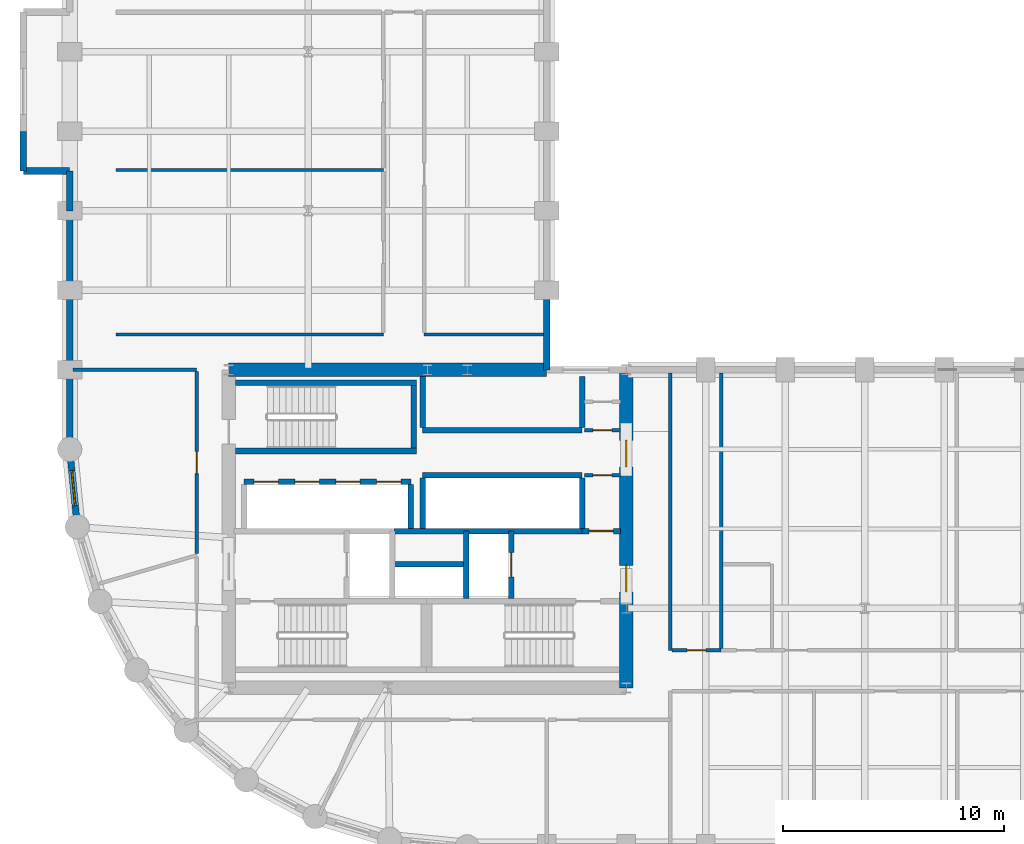
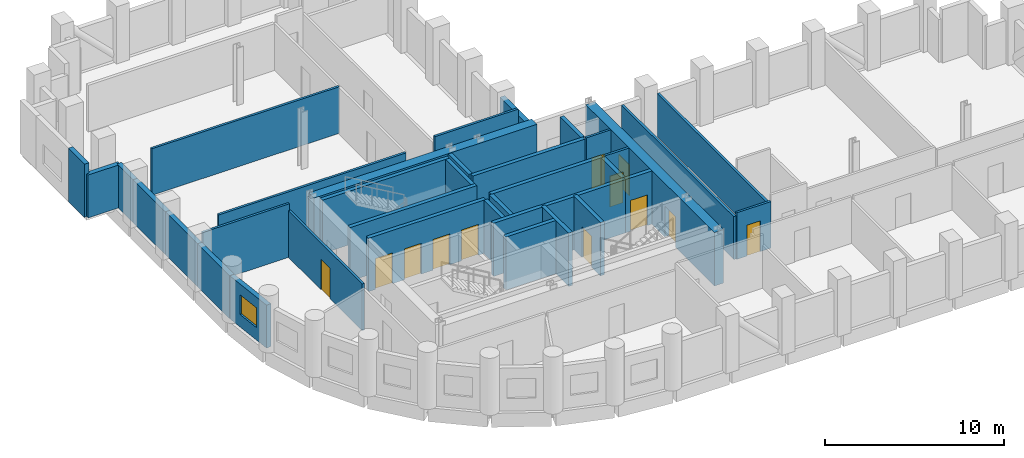
# One storey, part 4 of 7: 36 walls, 12 doors, 1 window, 13 openings.
"""IFC4 building model written with IfcOpenShell, lengths in metres."""

from ifc_helpers import new_model, si_unit, direction, frame, frame_2d, origin, place, context, subcontext, project, spatial, rectangle, extrude, material, layer, layer_set, type_object, element, fill, save


model = new_model("IFC4")

# Units and contexts
model_context = context("Model", 3, precision=1e-05, world=origin(), true_north=direction((0.0, 1.0)))
body_context = subcontext(model_context, "Body", "Model", "MODEL_VIEW")
ifc_project = project(units=[si_unit("LENGTHUNIT", "METRE"), si_unit("AREAUNIT", "SQUARE_METRE"), si_unit("VOLUMEUNIT", "CUBIC_METRE"), si_unit("PLANEANGLEUNIT", "RADIAN"), si_unit("MASSUNIT", "GRAM", prefix="KILO")], contexts=[model_context])

# Site, building, storey
site_placement = place(None, origin())
site = spatial("IfcSite", under=ifc_project, at=site_placement, CompositionType="ELEMENT")
building_placement = place(site_placement, origin())
building = spatial("IfcBuilding", under=site, at=building_placement, Name="Solnavia Interchange Tower", CompositionType="ELEMENT")
storey_placement = place(building_placement, frame((0.0, 0.0, 91.800048828125)))
storey = spatial("IfcBuildingStorey", under=building, at=storey_placement, Name="L22", CompositionType="ELEMENT", Elevation=91.800048828125)

# Walls
ifc_material_1 = material(Name="Concrete C40/50", Category="concrete")
ifc_layer_1 = layer(ifc_material_1, 0.300048828125)
ifc_layer_set_1 = layer_set([ifc_layer_1], Name="Concrete C40/50")
wall_type_1 = type_object("IfcWallType", Name="Wall-ExtSpandrel-300", PredefinedType="STANDARD", material=ifc_layer_set_1)
wall_1_placement = place(storey_placement, frame((28.800048828125, 28.800048828125, 0.0), z_axis=(0.0, 0.0, 1.0), x_axis=(0.0, -1.0, 0.0)))
element("IfcWall", 1, at=wall_1_placement, inside=storey, type_object=wall_type_1, Name="EXW-L22-28 Exterior precast spandrel wall", PredefinedType="STANDARD", context=body_context, shape_type="SweptSolid", body=[
    extrude(rectangle(XDim=3.60009765625, YDim=0.300048828125, at=frame_2d((1.800048828125, 0.0))), origin(), (0.0, 0.0, 1.0), 3.18994140625),
])
wall_2_placement = place(storey_placement, frame((5.10009765625, 34.199951171875, 0.0), z_axis=(0.0, 0.0, 1.0), x_axis=(0.0, 1.0, 0.0)))
element("IfcWall", 2, at=wall_2_placement, inside=storey, type_object=wall_type_1, Name="EXW-L22-49 Exterior precast spandrel wall", PredefinedType="STANDARD", context=body_context, shape_type="SweptSolid", body=[
    extrude(rectangle(XDim=1.800048828125, YDim=0.300048828125, at=frame_2d((0.89990234375, 0.0))), origin(), (0.0, 0.0, 1.0), 3.635009765625),
])
wall_3_placement = place(storey_placement, frame((5.10009765625, 34.199951171875, 0.0), z_axis=(0.0, 0.0, 1.0), x_axis=(1.0, 0.0, 0.0)))
element("IfcWall", 3, at=wall_3_placement, inside=storey, type_object=wall_type_1, Name="EXW-L22-50 Exterior precast spandrel wall", PredefinedType="STANDARD", context=body_context, shape_type="SweptSolid", body=[
    extrude(rectangle(XDim=2.099853515625, YDim=0.300048828125, at=frame_2d((1.0498046875, 0.0))), origin(), (0.0, 0.0, 1.0), 2.929931640625),
])
wall_4_placement = place(storey_placement, frame((7.199951171875, 32.39990234375, 0.0), z_axis=(0.0, 0.0, 1.0), x_axis=(0.0, 1.0, 0.0)))
element("IfcWall", 4, at=wall_4_placement, inside=storey, type_object=wall_type_1, Name="EXW-L22-51 Exterior precast spandrel wall", PredefinedType="STANDARD", context=body_context, shape_type="SweptSolid", body=[
    extrude(rectangle(XDim=1.800048828125, YDim=0.300048828125, at=frame_2d((0.89990234375, 0.0))), origin(), (0.0, 0.0, 1.0), 2.929931640625),
])
wall_5_placement = place(storey_placement, frame((7.199951171875, 28.800048828125, 0.0), z_axis=(0.0, 0.0, 1.0), x_axis=(0.0, 1.0, 0.0)))
element("IfcWall", 5, at=wall_5_placement, inside=storey, type_object=wall_type_1, Name="EXW-L22-52 Exterior precast spandrel wall", PredefinedType="STANDARD", context=body_context, shape_type="SweptSolid", body=[
    extrude(rectangle(XDim=3.599853515625, YDim=0.300048828125, at=frame_2d((1.7998046875, 0.0))), origin(), (0.0, 0.0, 1.0), 2.929931640625),
])
wall_6_placement = place(storey_placement, frame((7.199951171875, 25.199951171875, 0.0), z_axis=(0.0, 0.0, 1.0), x_axis=(0.0, 1.0, 0.0)))
element("IfcWall", 6, at=wall_6_placement, inside=storey, type_object=wall_type_1, Name="EXW-L22-53 Exterior precast spandrel wall", PredefinedType="STANDARD", context=body_context, shape_type="SweptSolid", body=[
    extrude(rectangle(XDim=3.60009765625, YDim=0.300048828125, at=frame_2d((1.800048828125, 0.0))), origin(), (0.0, 0.0, 1.0), 2.929931640625),
])
wall_7_placement = place(storey_placement, frame((7.199951171875, 21.60009765625, 0.0), z_axis=(0.0, 0.0, 1.0), x_axis=(0.0, 1.0, 0.0)))
element("IfcWall", 7, at=wall_7_placement, inside=storey, type_object=wall_type_1, Name="EXW-L22-54 Exterior precast spandrel wall", PredefinedType="STANDARD", context=body_context, shape_type="SweptSolid", body=[
    extrude(rectangle(XDim=3.599853515625, YDim=0.300048828125, at=frame_2d((1.7998046875, 0.0))), origin(), (0.0, 0.0, 1.0), 2.929931640625),
])

# Wall, opening, window
wall_8_placement = place(storey_placement, frame((7.5458984375, 18.087890625, 0.0), z_axis=(0.0, 0.0, 1.0), x_axis=(-0.09802417461, 0.995184033831, 0.0)))
wall_8 = element("IfcWall", 8, at=wall_8_placement, inside=storey, type_object=wall_type_1, Name="EXW-L22-55 Exterior precast spandrel wall", PredefinedType="STANDARD", context=body_context, shape_type="SweptSolid", body=[
    extrude(rectangle(XDim=3.529296875, YDim=0.300048828125, at=frame_2d((1.7646484375, 0.0))), origin(), (0.0, 0.0, 1.0), 2.929931640625),
])
opening_1_placement = place(wall_8_placement, frame((0.965087890625, 0.0, 0.85009765625)))
opening_1 = element("IfcOpeningElement", 9, at=opening_1_placement, cuts=wall_8, Name="Opening WIN-04", PredefinedType="OPENING", context=body_context, shape_type="SweptSolid", body=[
    extrude(rectangle(XDim=1.60009765625, YDim=1.35009765625, at=frame_2d((0.800048828125, 0.675048828125))), frame((0.0, 0.16015625, 0.0), z_axis=(0.0, -1.0, 0.0), x_axis=(1.0, 0.0, 0.0)), (0.0, 0.0, 1.0), 0.320068359375),
])
ifc_material_2 = material(Name="Thermal-Break Aluminium & Low-E Glass", Category="aluminium")
window_type = type_object("IfcWindowType", Name="Window-Drum-1600x1350", PartitioningType="SINGLE_PANEL", PredefinedType="WINDOW", material=ifc_material_2)
window_placement = place(opening_1_placement, origin())
window = element("IfcWindow", 10, at=window_placement, inside=storey, type_object=window_type, Name="WIN-L22-55 Facade ribbon window", OverallHeight=1.35009765625, OverallWidth=1.60009765625, PartitioningType="SINGLE_PANEL", PredefinedType="WINDOW", context=body_context, shape_type="SweptSolid", body=[
    extrude(rectangle(XDim=1.60009765625, YDim=1.35009765625, at=frame_2d((0.800048828125, 0.675048828125))), frame((0.0, 0.030029296875, 0.0), z_axis=(0.0, -1.0, 0.0), x_axis=(1.0, 0.0, 0.0)), (0.0, 0.0, 1.0), 0.06005859375),
])
fill(opening_1, window)

# Wall, opening, door
ifc_material_3 = material(Name="Gypsum Plasterboard & Steel Stud", Category="steel")
ifc_layer_2 = layer(ifc_material_3, 0.14990234375)
ifc_layer_set_2 = layer_set([ifc_layer_2], Name="Gypsum Plasterboard & Steel Stud")
wall_type_2 = type_object("IfcWallType", Name="Wall-Partition-150", PredefinedType="PARTITIONING", material=ifc_layer_set_2)
wall_9_placement = place(storey_placement, frame((30.52001953125, 22.4599609375, 0.0), z_axis=(0.0, 0.0, 1.0), x_axis=(1.0, 0.0, 0.0)))
wall_9 = element("IfcWall", 11, at=wall_9_placement, inside=storey, type_object=wall_type_2, Name="CSW-L22-NE-S Core shaft wall", PredefinedType="PARTITIONING", context=body_context, shape_type="SweptSolid", body=[
    extrude(rectangle(XDim=1.6298828125, YDim=0.14990234375, at=frame_2d((0.81494140625, 0.0))), origin(), (0.0, 0.0, 1.0), 3.635009765625),
])
opening_2_placement = place(wall_9_placement, frame((0.3798828125, 0.0, 0.0)))
opening_2 = element("IfcOpeningElement", 12, at=opening_2_placement, cuts=wall_9, Name="Opening DR-10", PredefinedType="OPENING", context=body_context, shape_type="SweptSolid", body=[
    extrude(rectangle(XDim=0.85009765625, YDim=2.10009765625, at=frame_2d((0.425048828125, 1.050048828125))), frame((0.0, 0.0849609375, 0.0), z_axis=(0.0, -1.0, 0.0), x_axis=(1.0, 0.0, 0.0)), (0.0, 0.0, 1.0), 0.169921875),
])
ifc_material_4 = material(Name="Moisture-Resistant Timber Door", Category="wood")
door_type_1 = type_object("IfcDoorType", Name="Door-Bathroom-850x2100", OperationType="SINGLE_SWING_RIGHT", PredefinedType="DOOR", material=ifc_material_4)
door_1_placement = place(opening_2_placement, origin())
door_1 = element("IfcDoor", 13, at=door_1_placement, inside=storey, type_object=door_type_1, Name="DR-L22-CNE1 Core fire door", OperationType="SINGLE_SWING_RIGHT", OverallHeight=2.10009765625, OverallWidth=0.85009765625, PredefinedType="DOOR", context=body_context, shape_type="SweptSolid", body=[
    extrude(rectangle(XDim=0.85009765625, YDim=2.10009765625, at=frame_2d((0.425048828125, 1.050048828125))), frame((0.0, 0.02490234375, 0.0), z_axis=(0.0, -1.0, 0.0), x_axis=(1.0, 0.0, 0.0)), (0.0, 0.0, 1.0), 0.050048828125),
])
fill(opening_2, door_1)

wall_10_placement = place(storey_placement, frame((30.52001953125, 20.419921875, 0.0), z_axis=(0.0, 0.0, 1.0), x_axis=(1.0, 0.0, 0.0)))
wall_10 = element("IfcWall", 14, at=wall_10_placement, inside=storey, type_object=wall_type_2, Name="CSW-L22-SE-N Core shaft wall", PredefinedType="PARTITIONING", context=body_context, shape_type="SweptSolid", body=[
    extrude(rectangle(XDim=1.6298828125, YDim=0.14990234375, at=frame_2d((0.81494140625, 0.0))), origin(), (0.0, 0.0, 1.0), 3.635009765625),
])
opening_3_placement = place(wall_10_placement, frame((0.3798828125, 0.0, 0.0)))
opening_3 = element("IfcOpeningElement", 15, at=opening_3_placement, cuts=wall_10, Name="Opening DR-10", PredefinedType="OPENING", context=body_context, shape_type="SweptSolid", body=[
    extrude(rectangle(XDim=0.85009765625, YDim=2.10009765625, at=frame_2d((0.425048828125, 1.050048828125))), frame((0.0, 0.0849609375, 0.0), z_axis=(0.0, -1.0, 0.0), x_axis=(1.0, 0.0, 0.0)), (0.0, 0.0, 1.0), 0.169921875),
])
door_2_placement = place(opening_3_placement, origin())
door_2 = element("IfcDoor", 16, at=door_2_placement, inside=storey, type_object=door_type_1, Name="DR-L22-CSE1 Core fire door", OperationType="SINGLE_SWING_LEFT", OverallHeight=2.10009765625, OverallWidth=0.85009765625, PredefinedType="DOOR", context=body_context, shape_type="SweptSolid", body=[
    extrude(rectangle(XDim=0.85009765625, YDim=2.10009765625, at=frame_2d((0.425048828125, 1.050048828125))), frame((0.0, 0.02490234375, 0.0), z_axis=(0.0, -1.0, 0.0), x_axis=(1.0, 0.0, 0.0)), (0.0, 0.0, 1.0), 0.050048828125),
])
fill(opening_3, door_2)

# Wall
wall_11_placement = place(storey_placement, frame((7.35400390625, 25.199951171875, 0.0), z_axis=(0.0, 0.0, 1.0), x_axis=(1.0, 0.0, 0.0)))
element("IfcWall", 17, at=wall_11_placement, inside=storey, type_object=wall_type_2, Name="PTW-L22-07 Interior partition wall", PredefinedType="PARTITIONING", context=body_context, shape_type="SweptSolid", body=[
    extrude(rectangle(XDim=5.595947265625, YDim=0.14990234375, at=frame_2d((2.7978515625, 0.0))), origin(), (0.0, 0.0, 1.0), 3.635009765625),
])

# Wall, opening, door
wall_12_placement = place(storey_placement, frame((12.949951171875, 16.87890625, 0.0), z_axis=(0.0, 0.0, 1.0), x_axis=(0.0, 1.0, 0.0)))
wall_12 = element("IfcWall", 18, at=wall_12_placement, inside=storey, type_object=wall_type_2, Name="PTW-L22-12 Interior partition wall", PredefinedType="PARTITIONING", context=body_context, shape_type="SweptSolid", body=[
    extrude(rectangle(XDim=8.2421875, YDim=0.14990234375, at=frame_2d((4.12109375, 0.0))), origin(), (0.0, 0.0, 1.0), 3.18994140625),
])
opening_4_placement = place(wall_12_placement, frame((3.62109375, 0.0, 0.0)))
opening_4 = element("IfcOpeningElement", 19, at=opening_4_placement, cuts=wall_12, Name="Opening DR-07", PredefinedType="OPENING", context=body_context, shape_type="SweptSolid", body=[
    extrude(rectangle(XDim=1.0, YDim=2.10009765625, at=frame_2d((0.5, 1.050048828125))), frame((0.0, 0.0849609375, 0.0), z_axis=(0.0, -1.0, 0.0), x_axis=(1.0, 0.0, 0.0)), (0.0, 0.0, 1.0), 0.169921875),
])
ifc_material_5 = material(Name="Timber & Acoustic Glazed Office Door", Category="wood")
door_type_2 = type_object("IfcDoorType", Name="Door-Office-1000x2100", OperationType="SINGLE_SWING_RIGHT", PredefinedType="DOOR", material=ifc_material_5)
door_3_placement = place(opening_4_placement, origin())
door_3 = element("IfcDoor", 20, at=door_3_placement, inside=storey, type_object=door_type_2, Name="DR-L22-03 Interior room door", OperationType="SINGLE_SWING_LEFT", OverallHeight=2.10009765625, OverallWidth=1.0, PredefinedType="DOOR", context=body_context, shape_type="SweptSolid", body=[
    extrude(rectangle(XDim=1.0, YDim=2.10009765625, at=frame_2d((0.5, 1.050048828125))), frame((0.0, 0.02490234375, 0.0), z_axis=(0.0, -1.0, 0.0), x_axis=(1.0, 0.0, 0.0)), (0.0, 0.0, 1.0), 0.050048828125),
])
fill(opening_4, door_3)

# Walls
for number, where, z_axis, x_axis, name in (
    (21, (9.300048828125, 26.800048828125, 0.0), (0.0, 0.0, 1.0), (1.0, 0.0, 0.0), "PTW-L22-28 Interior partition wall"),
    (22, (9.300048828125, 34.25, 0.0), (0.0, 0.0, 1.0), (1.0, 0.0, 0.0), "PTW-L22-29 Interior partition wall"),
):
    element("IfcWall", number, at=place(storey_placement, frame(where, z_axis=z_axis, x_axis=x_axis)), inside=storey, type_object=wall_type_2, Name=name, PredefinedType="PARTITIONING", context=body_context, shape_type="SweptSolid", body=[
        extrude(rectangle(XDim=12.099853515625, YDim=0.14990234375, at=frame_2d((6.0498046875, 0.0))), origin(), (0.0, 0.0, 1.0), 3.179931640625),
    ])
wall_13_placement = place(storey_placement, frame((23.25, 26.800048828125, 0.0), z_axis=(0.0, 0.0, 1.0), x_axis=(1.0, 0.0, 0.0)))
element("IfcWall", 23, at=wall_13_placement, inside=storey, type_object=wall_type_2, Name="PTW-L22-32 Interior partition wall", PredefinedType="PARTITIONING", context=body_context, shape_type="SweptSolid", body=[
    extrude(rectangle(XDim=5.39599609375, YDim=0.14990234375, at=frame_2d((2.697998046875, 0.0))), origin(), (0.0, 0.0, 1.0), 3.635009765625),
])
ifc_layer_3 = layer(ifc_material_1, 0.25)
ifc_layer_set_3 = layer_set([ifc_layer_3], Name="Concrete C40/50")
wall_type_3 = type_object("IfcWallType", Name="Wall-ShaftCore-250", PredefinedType="SHEAR", material=ifc_layer_set_3)
for number, where, z_axis, x_axis, name in (
    (24, (14.699951171875, 21.52490234375, 0.0), (0.0, 0.0, 1.0), (1.0, 0.0, 0.0), "SHW-L22-ST3S Core shear wall"),
    (25, (14.699951171875, 24.614990234375, 0.0), (0.0, 0.0, 1.0), (1.0, 0.0, 0.0), "SHW-L22-ST3N Core shear wall"),
):
    element("IfcWall", number, at=place(storey_placement, frame(where, z_axis=z_axis, x_axis=x_axis)), inside=storey, type_object=wall_type_3, Name=name, PredefinedType="SHEAR", context=body_context, shape_type="SweptSolid", body=[
        extrude(rectangle(XDim=8.199951171875, YDim=0.25, at=frame_2d((4.10009765625, 0.0))), origin(), (0.0, 0.0, 1.0), 3.64990234375),
    ])
wall_14_placement = place(storey_placement, frame((22.77490234375, 21.64990234375, 0.0), z_axis=(0.0, 0.0, 1.0), x_axis=(0.0, 1.0, 0.0)))
element("IfcWall", 26, at=wall_14_placement, inside=storey, type_object=wall_type_3, Name="SHW-L22-ST3E Core shear wall", PredefinedType="SHEAR", context=body_context, shape_type="SweptSolid", body=[
    extrude(rectangle(XDim=2.840087890625, YDim=0.25, at=frame_2d((1.419921875, 0.0))), origin(), (0.0, 0.0, 1.0), 3.64990234375),
])
ifc_layer_4 = layer(ifc_material_1, 0.25)
ifc_layer_set_4 = layer_set([ifc_layer_4], Name="Concrete C40/50")
wall_type_4 = type_object("IfcWallType", Name="Wall-ShaftPart-250", PredefinedType="PARTITIONING", material=ifc_layer_set_4)
wall_15_placement = place(storey_placement, frame((21.8798828125, 17.89990234375, 0.0), z_axis=(0.0, 0.0, 1.0), x_axis=(1.0, 0.0, 0.0)))
element("IfcWall", 27, at=wall_15_placement, inside=storey, type_object=wall_type_4, Name="SHW-L22-FFLE-N1 Core shaft wall", PredefinedType="PARTITIONING", context=body_context, shape_type="SweptSolid", body=[
    extrude(rectangle(XDim=8.52001953125, YDim=0.25, at=frame_2d((4.260009765625, 0.0))), origin(), (0.0, 0.0, 1.0), 3.635009765625),
])

# Wall, opening, door
wall_16_placement = place(storey_placement, frame((30.39990234375, 17.89990234375, 0.0), z_axis=(0.0, 0.0, 1.0), x_axis=(1.0, 0.0, 0.0)))
wall_16 = element("IfcWall", 28, at=wall_16_placement, inside=storey, type_object=wall_type_4, Name="SHW-L22-FFLE-N2 Core shaft wall", PredefinedType="PARTITIONING", context=body_context, shape_type="SweptSolid", body=[
    extrude(rectangle(XDim=1.75, YDim=0.25, at=frame_2d((0.875, 0.0))), origin(), (0.0, 0.0, 1.0), 3.635009765625),
])
opening_5_placement = place(wall_16_placement, frame((0.320068359375, 0.0, 0.0)))
opening_5 = element("IfcOpeningElement", 29, at=opening_5_placement, cuts=wall_16, Name="Opening DR-01", PredefinedType="OPENING", context=body_context, shape_type="SweptSolid", body=[
    extrude(rectangle(XDim=1.10009765625, YDim=2.10009765625, at=frame_2d((0.550048828125, 1.050048828125))), frame((0.0, 0.135009765625, 0.0), z_axis=(0.0, -1.0, 0.0), x_axis=(1.0, 0.0, 0.0)), (0.0, 0.0, 1.0), 0.27001953125),
])
ifc_material_6 = material(Name="Steel Fire-Rated Leaf & Frame", Category="steel")
door_type_3 = type_object("IfcDoorType", Name="Door-StairFire-1100x2100", OperationType="SINGLE_SWING_LEFT", PredefinedType="DOOR", material=ifc_material_6)
door_4_placement = place(opening_5_placement, origin())
door_4 = element("IfcDoor", 30, at=door_4_placement, inside=storey, type_object=door_type_3, Name="DR-L22-LLC Core fire door", OperationType="SINGLE_SWING_LEFT", OverallHeight=2.10009765625, OverallWidth=1.10009765625, PredefinedType="DOOR", context=body_context, shape_type="SweptSolid", body=[
    extrude(rectangle(XDim=1.10009765625, YDim=2.10009765625, at=frame_2d((0.550048828125, 1.050048828125))), frame((0.0, 0.02490234375, 0.0), z_axis=(0.0, -1.0, 0.0), x_axis=(1.0, 0.0, 0.0)), (0.0, 0.0, 1.0), 0.050048828125),
])
fill(opening_5, door_4)

# Wall
wall_17_placement = place(storey_placement, frame((25.14990234375, 14.840087890625, 0.0), z_axis=(0.0, 0.0, 1.0), x_axis=(0.0, 1.0, 0.0)))
element("IfcWall", 31, at=wall_17_placement, inside=storey, type_object=wall_type_4, Name="SHW-L22-FFL2-W Core shaft wall", PredefinedType="PARTITIONING", context=body_context, shape_type="SweptSolid", body=[
    extrude(rectangle(XDim=3.059814453125, YDim=0.25, at=frame_2d((1.52978515625, 0.0))), origin(), (0.0, 0.0, 1.0), 3.635009765625),
])

# Wall, opening, door
wall_18_placement = place(storey_placement, frame((27.199951171875, 14.840087890625, 0.0), z_axis=(0.0, 0.0, 1.0), x_axis=(0.0, 1.0, 0.0)))
wall_18 = element("IfcWall", 32, at=wall_18_placement, inside=storey, type_object=wall_type_4, Name="SHW-L22-FFL2-E Core shaft wall", PredefinedType="PARTITIONING", context=body_context, shape_type="SweptSolid", body=[
    extrude(rectangle(XDim=3.059814453125, YDim=0.25, at=frame_2d((1.52978515625, 0.0))), origin(), (0.0, 0.0, 1.0), 3.635009765625),
])
opening_6_placement = place(wall_18_placement, frame((0.97998046875, 0.0, 0.0)))
opening_6 = element("IfcOpeningElement", 33, at=opening_6_placement, cuts=wall_18, Name="Opening LD-01", PredefinedType="OPENING", context=body_context, shape_type="SweptSolid", body=[
    extrude(rectangle(XDim=1.10009765625, YDim=2.10009765625, at=frame_2d((0.550048828125, 1.050048828125))), frame((0.0, 0.135009765625, 0.0), z_axis=(0.0, -1.0, 0.0), x_axis=(1.0, 0.0, 0.0)), (0.0, 0.0, 1.0), 0.27001953125),
])
ifc_material_7 = material(Name="Brushed Stainless Steel Sliding Door", Category="steel")
door_type_4 = type_object("IfcDoorType", Name="Door-LiftLanding-1100x2100", OperationType="SLIDING_TO_LEFT", PredefinedType="DOOR", material=ifc_material_7)
door_5_placement = place(opening_6_placement, origin())
door_5 = element("IfcDoor", 34, at=door_5_placement, inside=storey, type_object=door_type_4, Name="LD-L22-FFL2 Lift landing sliding door", OperationType="SLIDING_TO_LEFT", OverallHeight=2.10009765625, OverallWidth=1.10009765625, PredefinedType="DOOR", context=body_context, shape_type="SweptSolid", body=[
    extrude(rectangle(XDim=1.10009765625, YDim=2.10009765625, at=frame_2d((0.550048828125, 1.050048828125))), frame((0.0, 0.02490234375, 0.0), z_axis=(0.0, -1.0, 0.0), x_axis=(1.0, 0.0, 0.0)), (0.0, 0.0, 1.0), 0.050048828125),
])
fill(opening_6, door_5)

# Wall
wall_19_placement = place(storey_placement, frame((21.800048828125, 16.39990234375, 0.0), z_axis=(0.0, 0.0, 1.0), x_axis=(1.0, 0.0, 0.0)))
element("IfcWall", 35, at=wall_19_placement, inside=storey, type_object=wall_type_4, Name="SHW-L22-MEP-N Core shaft wall", PredefinedType="PARTITIONING", context=body_context, shape_type="SweptSolid", body=[
    extrude(rectangle(XDim=3.349853515625, YDim=0.25, at=frame_2d((1.6748046875, 0.0))), origin(), (0.0, 0.0, 1.0), 3.635009765625),
])

# Wall, openings, doors
wall_20_placement = place(storey_placement, frame((15.10009765625, 20.125, 0.0), z_axis=(0.0, 0.0, 1.0), x_axis=(1.0, 0.0, 0.0)))
wall_20 = element("IfcWall", 36, at=wall_20_placement, inside=storey, type_object=wall_type_4, Name="SHW-L22-B1N Core shaft wall", PredefinedType="PARTITIONING", context=body_context, shape_type="SweptSolid", body=[
    extrude(rectangle(XDim=7.5498046875, YDim=0.25, at=frame_2d((3.77490234375, 0.0))), origin(), (0.0, 0.0, 1.0), 3.635009765625),
])
opening_7_placement = place(wall_20_placement, frame((0.449951171875, 0.0, 0.0)))
opening_7 = element("IfcOpeningElement", 37, at=opening_7_placement, cuts=wall_20, Name="Opening LD-01", PredefinedType="OPENING", context=body_context, shape_type="SweptSolid", body=[
    extrude(rectangle(XDim=1.10009765625, YDim=2.10009765625, at=frame_2d((0.550048828125, 1.050048828125))), frame((0.0, 0.135009765625, 0.0), z_axis=(0.0, -1.0, 0.0), x_axis=(1.0, 0.0, 0.0)), (0.0, 0.0, 1.0), 0.27001953125),
])
opening_8_placement = place(wall_20_placement, frame((2.300048828125, 0.0, 0.0)))
opening_8 = element("IfcOpeningElement", 38, at=opening_8_placement, cuts=wall_20, Name="Opening LD-01", PredefinedType="OPENING", context=body_context, shape_type="SweptSolid", body=[
    extrude(rectangle(XDim=1.10009765625, YDim=2.10009765625, at=frame_2d((0.550048828125, 1.050048828125))), frame((0.0, 0.135009765625, 0.0), z_axis=(0.0, -1.0, 0.0), x_axis=(1.0, 0.0, 0.0)), (0.0, 0.0, 1.0), 0.27001953125),
])
opening_9_placement = place(wall_20_placement, frame((4.14990234375, 0.0, 0.0)))
opening_9 = element("IfcOpeningElement", 39, at=opening_9_placement, cuts=wall_20, Name="Opening LD-01", PredefinedType="OPENING", context=body_context, shape_type="SweptSolid", body=[
    extrude(rectangle(XDim=1.10009765625, YDim=2.10009765625, at=frame_2d((0.550048828125, 1.050048828125))), frame((0.0, 0.135009765625, 0.0), z_axis=(0.0, -1.0, 0.0), x_axis=(1.0, 0.0, 0.0)), (0.0, 0.0, 1.0), 0.27001953125),
])
opening_10_placement = place(wall_20_placement, frame((6.0, 0.0, 0.0)))
opening_10 = element("IfcOpeningElement", 40, at=opening_10_placement, cuts=wall_20, Name="Opening LD-01", PredefinedType="OPENING", context=body_context, shape_type="SweptSolid", body=[
    extrude(rectangle(XDim=1.10009765625, YDim=2.10009765625, at=frame_2d((0.550048828125, 1.050048828125))), frame((0.0, 0.135009765625, 0.0), z_axis=(0.0, -1.0, 0.0), x_axis=(1.0, 0.0, 0.0)), (0.0, 0.0, 1.0), 0.27001953125),
])
door_6_placement = place(opening_7_placement, origin())
door_6 = element("IfcDoor", 41, at=door_6_placement, inside=storey, type_object=door_type_4, Name="LD-L22-B1-1 Lift landing sliding door", OperationType="SLIDING_TO_LEFT", OverallHeight=2.10009765625, OverallWidth=1.10009765625, PredefinedType="DOOR", context=body_context, shape_type="SweptSolid", body=[
    extrude(rectangle(XDim=1.10009765625, YDim=2.10009765625, at=frame_2d((0.550048828125, 1.050048828125))), frame((0.0, 0.02490234375, 0.0), z_axis=(0.0, -1.0, 0.0), x_axis=(1.0, 0.0, 0.0)), (0.0, 0.0, 1.0), 0.050048828125),
])
fill(opening_7, door_6)
door_7_placement = place(opening_8_placement, origin())
door_7 = element("IfcDoor", 42, at=door_7_placement, inside=storey, type_object=door_type_4, Name="LD-L22-B1-2 Lift landing sliding door", OperationType="SLIDING_TO_LEFT", OverallHeight=2.10009765625, OverallWidth=1.10009765625, PredefinedType="DOOR", context=body_context, shape_type="SweptSolid", body=[
    extrude(rectangle(XDim=1.10009765625, YDim=2.10009765625, at=frame_2d((0.550048828125, 1.050048828125))), frame((0.0, 0.02490234375, 0.0), z_axis=(0.0, -1.0, 0.0), x_axis=(1.0, 0.0, 0.0)), (0.0, 0.0, 1.0), 0.050048828125),
])
fill(opening_8, door_7)
door_8_placement = place(opening_9_placement, origin())
door_8 = element("IfcDoor", 43, at=door_8_placement, inside=storey, type_object=door_type_4, Name="LD-L22-B1-3 Lift landing sliding door", OperationType="SLIDING_TO_LEFT", OverallHeight=2.10009765625, OverallWidth=1.10009765625, PredefinedType="DOOR", context=body_context, shape_type="SweptSolid", body=[
    extrude(rectangle(XDim=1.10009765625, YDim=2.10009765625, at=frame_2d((0.550048828125, 1.050048828125))), frame((0.0, 0.02490234375, 0.0), z_axis=(0.0, -1.0, 0.0), x_axis=(1.0, 0.0, 0.0)), (0.0, 0.0, 1.0), 0.050048828125),
])
fill(opening_9, door_8)
door_9_placement = place(opening_10_placement, origin())
door_9 = element("IfcDoor", 44, at=door_9_placement, inside=storey, type_object=door_type_4, Name="LD-L22-B1-4 Lift landing sliding door", OperationType="SLIDING_TO_LEFT", OverallHeight=2.10009765625, OverallWidth=1.10009765625, PredefinedType="DOOR", context=body_context, shape_type="SweptSolid", body=[
    extrude(rectangle(XDim=1.10009765625, YDim=2.10009765625, at=frame_2d((0.550048828125, 1.050048828125))), frame((0.0, 0.02490234375, 0.0), z_axis=(0.0, -1.0, 0.0), x_axis=(1.0, 0.0, 0.0)), (0.0, 0.0, 1.0), 0.050048828125),
])
fill(opening_10, door_9)

# Walls
wall_21_placement = place(storey_placement, frame((22.64990234375, 18.02490234375, 0.0), z_axis=(0.0, 0.0, 1.0), x_axis=(0.0, 1.0, 0.0)))
element("IfcWall", 45, at=wall_21_placement, inside=storey, type_object=wall_type_4, Name="SHW-L22-B1E Core shaft wall", PredefinedType="PARTITIONING", context=body_context, shape_type="SweptSolid", body=[
    extrude(rectangle(XDim=1.97509765625, YDim=0.25, at=frame_2d((0.987548828125, 0.0))), origin(), (0.0, 0.0, 1.0), 3.635009765625),
])
wall_22_placement = place(storey_placement, frame((23.179931640625, 20.419921875, 0.0), z_axis=(0.0, 0.0, 1.0), x_axis=(1.0, 0.0, 0.0)))
element("IfcWall", 46, at=wall_22_placement, inside=storey, type_object=wall_type_4, Name="SHW-L22-B2N Core shaft wall", PredefinedType="PARTITIONING", context=body_context, shape_type="SweptSolid", body=[
    extrude(rectangle(XDim=7.219970703125, YDim=0.25, at=frame_2d((3.60986328125, 0.0))), origin(), (0.0, 0.0, 1.0), 3.635009765625),
])
for number, where, z_axis, x_axis, name in (
    (47, (23.179931640625, 18.02490234375, 0.0), (0.0, 0.0, 1.0), (0.0, 1.0, 0.0), "SHW-L22-B2W Core shaft wall"),
    (48, (30.39990234375, 18.02490234375, 0.0), (0.0, 0.0, 1.0), (0.0, 1.0, 0.0), "SHW-L22-B2E Core shaft wall"),
):
    element("IfcWall", number, at=place(storey_placement, frame(where, z_axis=z_axis, x_axis=x_axis)), inside=storey, type_object=wall_type_4, Name=name, PredefinedType="PARTITIONING", context=body_context, shape_type="SweptSolid", body=[
        extrude(rectangle(XDim=2.27001953125, YDim=0.25, at=frame_2d((1.135009765625, 0.0))), origin(), (0.0, 0.0, 1.0), 3.635009765625),
    ])
wall_23_placement = place(storey_placement, frame((23.179931640625, 22.4599609375, 0.0), z_axis=(0.0, 0.0, 1.0), x_axis=(1.0, 0.0, 0.0)))
element("IfcWall", 49, at=wall_23_placement, inside=storey, type_object=wall_type_4, Name="SHW-L22-B3S Core shaft wall", PredefinedType="PARTITIONING", context=body_context, shape_type="SweptSolid", body=[
    extrude(rectangle(XDim=7.219970703125, YDim=0.25, at=frame_2d((3.60986328125, 0.0))), origin(), (0.0, 0.0, 1.0), 3.635009765625),
])
for number, where, z_axis, x_axis, name in (
    (50, (23.179931640625, 22.5849609375, 0.0), (0.0, 0.0, 1.0), (0.0, 1.0, 0.0), "SHW-L22-B3W Core shaft wall"),
    (51, (30.39990234375, 22.5849609375, 0.0), (0.0, 0.0, 1.0), (0.0, 1.0, 0.0), "SHW-L22-B3E Core shaft wall"),
):
    element("IfcWall", number, at=place(storey_placement, frame(where, z_axis=z_axis, x_axis=x_axis)), inside=storey, type_object=wall_type_4, Name=name, PredefinedType="PARTITIONING", context=body_context, shape_type="SweptSolid", body=[
        extrude(rectangle(XDim=2.31494140625, YDim=0.25, at=frame_2d((1.157470703125, 0.0))), origin(), (0.0, 0.0, 1.0), 3.635009765625),
    ])
ifc_material_8 = material(Name="Concrete C60/75", Category="concrete")
ifc_layer_5 = layer(ifc_material_8, 0.60009765625)
ifc_layer_set_5 = layer_set([ifc_layer_5], Name="Concrete C60/75")
wall_type_5 = type_object("IfcWallType", Name="Wall-ShearCore-600", PredefinedType="SHEAR", material=ifc_layer_set_5)
wall_24_placement = place(storey_placement, frame((14.39990234375, 25.199951171875, 0.0), z_axis=(0.0, 0.0, 1.0), x_axis=(1.0, 0.0, 0.0)))
element("IfcWall", 52, at=wall_24_placement, inside=storey, type_object=wall_type_5, Name="CRW-L22-N Core shear wall", PredefinedType="SHEAR", context=body_context, shape_type="SweptSolid", body=[
    extrude(rectangle(XDim=14.400146484375, YDim=0.60009765625, at=frame_2d((7.2001953125, 0.0))), origin(), (0.0, 0.0, 1.0), 3.64990234375),
])

# Wall, openings, doors
wall_25_placement = place(storey_placement, frame((32.39990234375, 10.800048828125, 0.0), z_axis=(0.0, 0.0, 1.0), x_axis=(0.0, 1.0, 0.0)))
wall_25 = element("IfcWall", 53, at=wall_25_placement, inside=storey, type_object=wall_type_5, Name="CRW-L22-E Core shear wall", PredefinedType="SHEAR", context=body_context, shape_type="SweptSolid", body=[
    extrude(rectangle(XDim=14.39990234375, YDim=0.60009765625, at=frame_2d((7.199951171875, 0.0))), origin(), (0.0, 0.0, 1.0), 3.64990234375),
])
opening_11_placement = place(wall_25_placement, frame((4.35009765625, 0.0, 0.0)))
opening_11 = element("IfcOpeningElement", 54, at=opening_11_placement, cuts=wall_25, Name="Opening DR-02", PredefinedType="OPENING", context=body_context, shape_type="SweptSolid", body=[
    extrude(rectangle(XDim=1.199951171875, YDim=2.10009765625, at=frame_2d((0.60009765625, 1.050048828125))), frame((0.0, 0.31005859375, 0.0), z_axis=(0.0, -1.0, 0.0), x_axis=(1.0, 0.0, 0.0)), (0.0, 0.0, 1.0), 0.6201171875),
])
opening_12_placement = place(wall_25_placement, frame((10.0, 0.0, 0.0)))
opening_12 = element("IfcOpeningElement", 55, at=opening_12_placement, cuts=wall_25, Name="Opening DR-02", PredefinedType="OPENING", context=body_context, shape_type="SweptSolid", body=[
    extrude(rectangle(XDim=1.199951171875, YDim=2.10009765625, at=frame_2d((0.60009765625, 1.050048828125))), frame((0.0, 0.31005859375, 0.0), z_axis=(0.0, -1.0, 0.0), x_axis=(1.0, 0.0, 0.0)), (0.0, 0.0, 1.0), 0.6201171875),
])
ifc_material_9 = material(Name="Steel Fire-Rated Vision-Panel Door", Category="steel")
door_type_5 = type_object("IfcDoorType", Name="Door-LobbyFire-1200x2100", OperationType="SINGLE_SWING_RIGHT", PredefinedType="DOOR", material=ifc_material_9)
door_10_placement = place(opening_11_placement, origin())
door_10 = element("IfcDoor", 56, at=door_10_placement, inside=storey, type_object=door_type_5, Name="DR-L22-FFL2E Core fire door", OperationType="SINGLE_SWING_LEFT", OverallHeight=2.10009765625, OverallWidth=1.199951171875, PredefinedType="DOOR", context=body_context, shape_type="SweptSolid", body=[
    extrude(rectangle(XDim=1.199951171875, YDim=2.10009765625, at=frame_2d((0.60009765625, 1.050048828125))), frame((0.0, 0.02490234375, 0.0), z_axis=(0.0, -1.0, 0.0), x_axis=(1.0, 0.0, 0.0)), (0.0, 0.0, 1.0), 0.050048828125),
])
fill(opening_11, door_10)
door_11_placement = place(opening_12_placement, origin())
door_11 = element("IfcDoor", 57, at=door_11_placement, inside=storey, type_object=door_type_5, Name="DR-L22-LLE Core fire door", OperationType="SINGLE_SWING_RIGHT", OverallHeight=2.10009765625, OverallWidth=1.199951171875, PredefinedType="DOOR", context=body_context, shape_type="SweptSolid", body=[
    extrude(rectangle(XDim=1.199951171875, YDim=2.10009765625, at=frame_2d((0.60009765625, 1.050048828125))), frame((0.0, 0.02490234375, 0.0), z_axis=(0.0, -1.0, 0.0), x_axis=(1.0, 0.0, 0.0)), (0.0, 0.0, 1.0), 0.050048828125),
])
fill(opening_12, door_11)

# Wall
ifc_material_10 = material(Name="Moisture-Resistant Gypsum & Steel Stud", Category="steel")
ifc_layer_6 = layer(ifc_material_10, 0.14990234375)
ifc_layer_set_6 = layer_set([ifc_layer_6], Name="Moisture-Resistant Gypsum & Steel Stud")
wall_type_6 = type_object("IfcWallType", Name="Wall-WetRoom-150", PredefinedType="PARTITIONING", material=ifc_layer_set_6)
wall_26_placement = place(storey_placement, frame((34.39990234375, 12.5, 0.0), z_axis=(0.0, 0.0, 1.0), x_axis=(0.0, 1.0, 0.0)))
element("IfcWall", 58, at=wall_26_placement, inside=storey, type_object=wall_type_6, Name="PTW-L22-01 Interior partition wall", PredefinedType="PARTITIONING", context=body_context, shape_type="SweptSolid", body=[
    extrude(rectangle(XDim=12.5458984375, YDim=0.14990234375, at=frame_2d((6.27294921875, 0.0))), origin(), (0.0, 0.0, 1.0), 2.929931640625),
])

# Wall, opening, door
wall_27_placement = place(storey_placement, frame((34.47900390625, 12.5, 0.0), z_axis=(0.0, 0.0, 1.0), x_axis=(1.0, 0.0, 0.0)))
wall_27 = element("IfcWall", 59, at=wall_27_placement, inside=storey, type_object=wall_type_6, Name="PTW-L22-02 Interior partition wall", PredefinedType="PARTITIONING", context=body_context, shape_type="SweptSolid", body=[
    extrude(rectangle(XDim=2.220947265625, YDim=0.14990234375, at=frame_2d((1.1103515625, 0.0))), origin(), (0.0, 0.0, 1.0), 3.179931640625),
])
opening_13_placement = place(wall_27_placement, frame((0.674072265625, 0.0, 0.0)))
opening_13 = element("IfcOpeningElement", 60, at=opening_13_placement, cuts=wall_27, Name="Opening DR-10", PredefinedType="OPENING", context=body_context, shape_type="SweptSolid", body=[
    extrude(rectangle(XDim=0.85009765625, YDim=2.10009765625, at=frame_2d((0.425048828125, 1.050048828125))), frame((0.0, 0.0849609375, 0.0), z_axis=(0.0, -1.0, 0.0), x_axis=(1.0, 0.0, 0.0)), (0.0, 0.0, 1.0), 0.169921875),
])
door_12_placement = place(opening_13_placement, origin())
door_12 = element("IfcDoor", 61, at=door_12_placement, inside=storey, type_object=door_type_1, Name="DR-L22-01 Interior room door", OperationType="SINGLE_SWING_LEFT", OverallHeight=2.10009765625, OverallWidth=0.85009765625, PredefinedType="DOOR", context=body_context, shape_type="SweptSolid", body=[
    extrude(rectangle(XDim=0.85009765625, YDim=2.10009765625, at=frame_2d((0.425048828125, 1.050048828125))), frame((0.0, 0.02490234375, 0.0), z_axis=(0.0, -1.0, 0.0), x_axis=(1.0, 0.0, 0.0)), (0.0, 0.0, 1.0), 0.050048828125),
])
fill(opening_13, door_12)

# Wall
wall_28_placement = place(storey_placement, frame((36.699951171875, 12.5791015625, 0.0), z_axis=(0.0, 0.0, 1.0), x_axis=(0.0, 1.0, 0.0)))
element("IfcWall", 62, at=wall_28_placement, inside=storey, type_object=wall_type_6, Name="PTW-L22-03 Interior partition wall", PredefinedType="PARTITIONING", context=body_context, shape_type="SweptSolid", body=[
    extrude(rectangle(XDim=12.466796875, YDim=0.14990234375, at=frame_2d((6.2333984375, 0.0))), origin(), (0.0, 0.0, 1.0), 2.929931640625),
])

save(model, "model.ifc")
